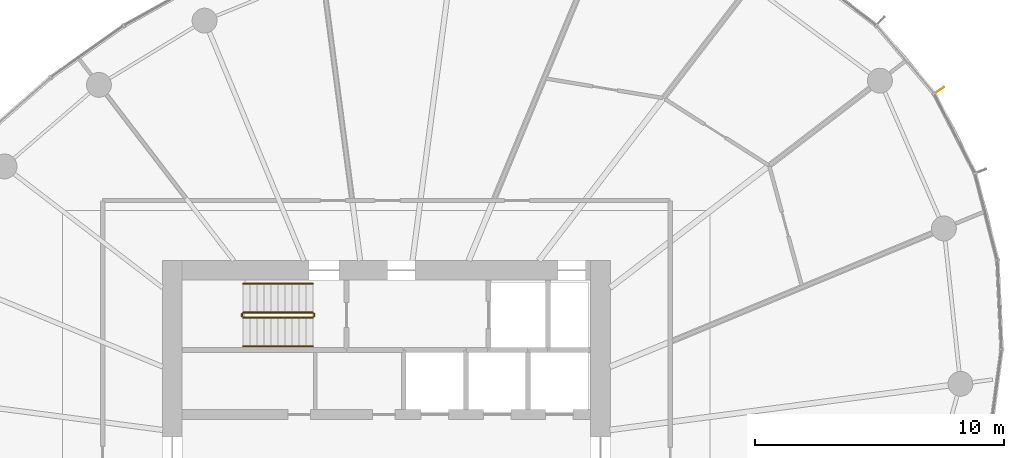
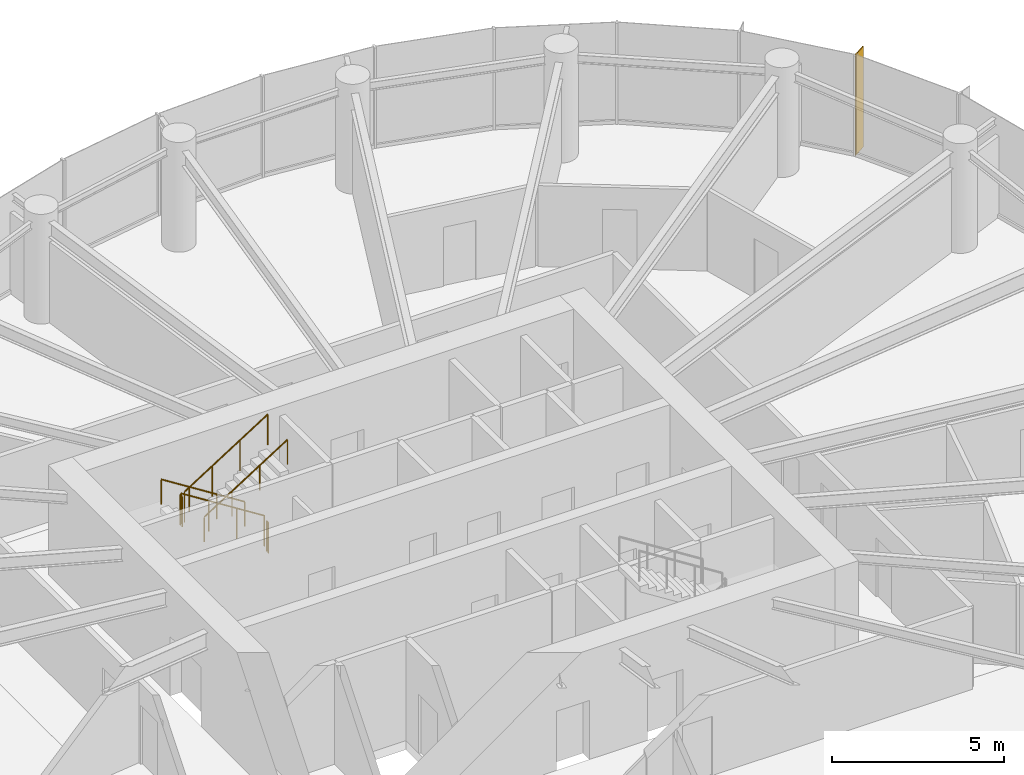
# One storey, part 13 of 14: 6 railings, 1 shading device.
"""IFC4 building model written with IfcOpenShell, lengths in metres."""

from ifc_helpers import new_model, si_unit, direction, frame, origin, origin_2d, place, context, subcontext, project, spatial, rectangle, circle, extrude, source, transform, mapped, material, material_profile, profile_set, type_object, element, save


model = new_model("IFC4")

# Units and contexts
model_context = context("Model", 3, precision=1e-05, world=origin(), true_north=direction((0.0, 1.0)))
body_context = subcontext(model_context, "Body", "Model", "MODEL_VIEW")
ifc_project = project(units=[si_unit("LENGTHUNIT", "METRE"), si_unit("AREAUNIT", "SQUARE_METRE"), si_unit("VOLUMEUNIT", "CUBIC_METRE"), si_unit("PLANEANGLEUNIT", "RADIAN"), si_unit("MASSUNIT", "GRAM", prefix="KILO")], contexts=[model_context])

# Site, building, storey
site_placement = place(None, origin())
site = spatial("IfcSite", under=ifc_project, at=site_placement, CompositionType="ELEMENT")
building_placement = place(site_placement, origin())
building = spatial("IfcBuilding", under=site, at=building_placement, Name="Spindrift Exchange Tower", CompositionType="ELEMENT")
storey_placement = place(building_placement, frame((0.0, 0.0, 140.89990234375)))
storey = spatial("IfcBuildingStorey", under=building, at=storey_placement, Name="L33", CompositionType="ELEMENT", Elevation=140.89990234375)

# Railings
ifc_material_1 = material(Name="Steel balustrade", Category="steel")
railing_type_1 = type_object("IfcRailingType", Name="RL-STAIR-GUARD", PredefinedType="GUARDRAIL", material=ifc_material_1)
railing_1_placement = place(storey_placement, frame((49.050048828125, 53.89990234375, 0.177490234375)))
element("IfcRailing", 1, at=railing_1_placement, inside=storey, type_object=railing_type_1, Name="L33 ST1 stair guard 1", PredefinedType="GUARDRAIL", context=body_context, shape_type="SweptSolid", body=[
    extrude(circle(Radius=0.02392578125, at=origin_2d()), frame((0.0, 0.0, 1.076171875), z_axis=(-0.844908973607, 0.0, 0.534910110503), x_axis=(0.0, -1.0, 0.0)), (0.0, 0.0, 1.0), 3.31396484375),
    extrude(circle(Radius=0.02099609375, at=origin_2d()), origin(), (0.0, 0.0, 1.0), 1.052001953125),
    extrude(circle(Radius=0.02099609375, at=origin_2d()), frame((-0.933349609375, 0.0, 0.5908203125)), (0.0, 0.0, 1.0), 1.052001953125),
    extrude(circle(Radius=0.02099609375, at=origin_2d()), frame((-1.86669921875, 0.0, 1.181884765625)), (0.0, 0.0, 1.0), 1.052001953125),
    extrude(circle(Radius=0.02099609375, at=origin_2d()), frame((-2.800048828125, 0.0, 1.772705078125)), (0.0, 0.0, 1.0), 1.052001953125),
])
railing_2_placement = place(storey_placement, frame((46.199951171875, 53.85009765625, 1.9501953125)))
element("IfcRailing", 2, at=railing_2_placement, inside=storey, type_object=railing_type_1, Name="L33 ST1 stair guard 2", PredefinedType="GUARDRAIL", context=body_context, shape_type="SweptSolid", body=[
    extrude(circle(Radius=0.02392578125, at=origin_2d()), frame((0.0, 0.0, 1.076171875), z_axis=(0.0, -1.0, 0.0), x_axis=(1.0, 0.0, 0.0)), (0.0, 0.0, 1.0), 0.10009765625),
    extrude(circle(Radius=0.02099609375, at=origin_2d()), origin(), (0.0, 0.0, 1.0), 1.052001953125),
    extrude(circle(Radius=0.02099609375, at=origin_2d()), frame((0.0, -0.10009765625, 0.0)), (0.0, 0.0, 1.0), 1.052001953125),
])
railing_3_placement = place(storey_placement, frame((46.25, 53.699951171875, 2.12744140625)))
element("IfcRailing", 3, at=railing_3_placement, inside=storey, type_object=railing_type_1, Name="L33 ST1 stair guard 3", PredefinedType="GUARDRAIL", context=body_context, shape_type="SweptSolid", body=[
    extrude(circle(Radius=0.02392578125, at=origin_2d()), frame((0.0, 0.0, 1.076171875), z_axis=(0.844908973607, 0.0, 0.534910110503), x_axis=(0.0, 1.0, 0.0)), (0.0, 0.0, 1.0), 3.31396484375),
    extrude(circle(Radius=0.02099609375, at=origin_2d()), origin(), (0.0, 0.0, 1.0), 1.052001953125),
    extrude(circle(Radius=0.02099609375, at=origin_2d()), frame((0.933349609375, 0.0, 0.5908203125)), (0.0, 0.0, 1.0), 1.052001953125),
    extrude(circle(Radius=0.02099609375, at=origin_2d()), frame((1.86669921875, 0.0, 1.181884765625)), (0.0, 0.0, 1.0), 1.052001953125),
    extrude(circle(Radius=0.02099609375, at=origin_2d()), frame((2.800048828125, 0.0, 1.772705078125)), (0.0, 0.0, 1.0), 1.052001953125),
])
railing_4_placement = place(storey_placement, frame((49.10009765625, 53.85009765625, 0.0)))
element("IfcRailing", 4, at=railing_4_placement, inside=storey, type_object=railing_type_1, Name="L33 ST1 stair guard 4", PredefinedType="GUARDRAIL", context=body_context, shape_type="SweptSolid", body=[
    extrude(circle(Radius=0.02392578125, at=origin_2d()), frame((0.0, 0.0, 1.076171875), z_axis=(0.0, -1.0, 0.0), x_axis=(1.0, 0.0, 0.0)), (0.0, 0.0, 1.0), 0.10009765625),
    extrude(circle(Radius=0.02099609375, at=origin_2d()), origin(), (0.0, 0.0, 1.0), 1.052001953125),
    extrude(circle(Radius=0.02099609375, at=origin_2d()), frame((0.0, -0.10009765625, 0.0)), (0.0, 0.0, 1.0), 1.052001953125),
])
ifc_material_2 = material(Name="Steel tubular handrail", Category="steel")
railing_type_2 = type_object("IfcRailingType", Name="RL-STAIR-HAND", PredefinedType="HANDRAIL", material=ifc_material_2)
railing_5_placement = place(storey_placement, frame((49.050048828125, 55.050048828125, 0.177490234375)))
element("IfcRailing", 5, at=railing_5_placement, inside=storey, type_object=railing_type_2, Name="L33 ST1 stair handrail 1", PredefinedType="HANDRAIL", context=body_context, shape_type="SweptSolid", body=[
    extrude(circle(Radius=0.02392578125, at=origin_2d()), frame((0.0, 0.0, 0.8759765625), z_axis=(-0.844908973607, 0.0, 0.534910110503), x_axis=(0.0, -1.0, 0.0)), (0.0, 0.0, 1.0), 3.31396484375),
    extrude(circle(Radius=0.02099609375, at=origin_2d()), origin(), (0.0, 0.0, 1.0), 0.851806640625),
    extrude(circle(Radius=0.02099609375, at=origin_2d()), frame((-0.933349609375, 0.0, 0.5908203125)), (0.0, 0.0, 1.0), 0.851806640625),
    extrude(circle(Radius=0.02099609375, at=origin_2d()), frame((-1.86669921875, 0.0, 1.181884765625)), (0.0, 0.0, 1.0), 0.851806640625),
    extrude(circle(Radius=0.02099609375, at=origin_2d()), frame((-2.800048828125, 0.0, 1.772705078125)), (0.0, 0.0, 1.0), 0.851806640625),
])
railing_6_placement = place(storey_placement, frame((46.25, 52.550048828125, 2.12744140625)))
element("IfcRailing", 6, at=railing_6_placement, inside=storey, type_object=railing_type_2, Name="L33 ST1 stair handrail 2", PredefinedType="HANDRAIL", context=body_context, shape_type="SweptSolid", body=[
    extrude(circle(Radius=0.02392578125, at=origin_2d()), frame((0.0, 0.0, 0.8759765625), z_axis=(0.844908973607, 0.0, 0.534910110503), x_axis=(0.0, 1.0, 0.0)), (0.0, 0.0, 1.0), 3.31396484375),
    extrude(circle(Radius=0.02099609375, at=origin_2d()), origin(), (0.0, 0.0, 1.0), 0.851806640625),
    extrude(circle(Radius=0.02099609375, at=origin_2d()), frame((0.933349609375, 0.0, 0.5908203125)), (0.0, 0.0, 1.0), 0.851806640625),
    extrude(circle(Radius=0.02099609375, at=origin_2d()), frame((1.86669921875, 0.0, 1.181884765625)), (0.0, 0.0, 1.0), 0.851806640625),
    extrude(circle(Radius=0.02099609375, at=origin_2d()), frame((2.800048828125, 0.0, 1.772705078125)), (0.0, 0.0, 1.0), 0.851806640625),
])

# Shading device
ifc_material_3 = material(Name="Bronze anodised aluminium", Category="aluminium")
ifc_material_profile = material_profile(ifc_material_3, rectangle(XDim=0.030029296875, YDim=0.5, at=origin_2d()), Name="WIND FIN 30X500")
ifc_profile_set = profile_set([ifc_material_profile], Name="Bronze anodised aluminium")
shading_device_type = type_object("IfcShadingDeviceType", Name="WIND FIN 30X500", PredefinedType="USERDEFINED", material=ifc_profile_set)
shared_shape = source(origin(), body_context, "Body", "SweptSolid", [
    extrude(rectangle(XDim=0.030029296875, YDim=0.5, at=origin_2d()), origin(), (0.0, 0.0, 1.0), 3.580078125),
])
shading_device_placement = place(storey_placement, frame((74.191650390625, 62.8134765625, 0.0), z_axis=(0.0, 0.0, 1.0), x_axis=(-0.555198673388, 0.831717760462, 0.0)))
element("IfcShadingDevice", 7, at=shading_device_placement, inside=storey, type_object=shading_device_type, Name="L33 wind fin 2", ObjectType="FIN", PredefinedType="USERDEFINED", context=body_context, shape_type="MappedRepresentation", body=[
    mapped(shared_shape, transform((0.0, 0.0, 0.0), scale=1.0)),
])

save(model, "model.ifc")
